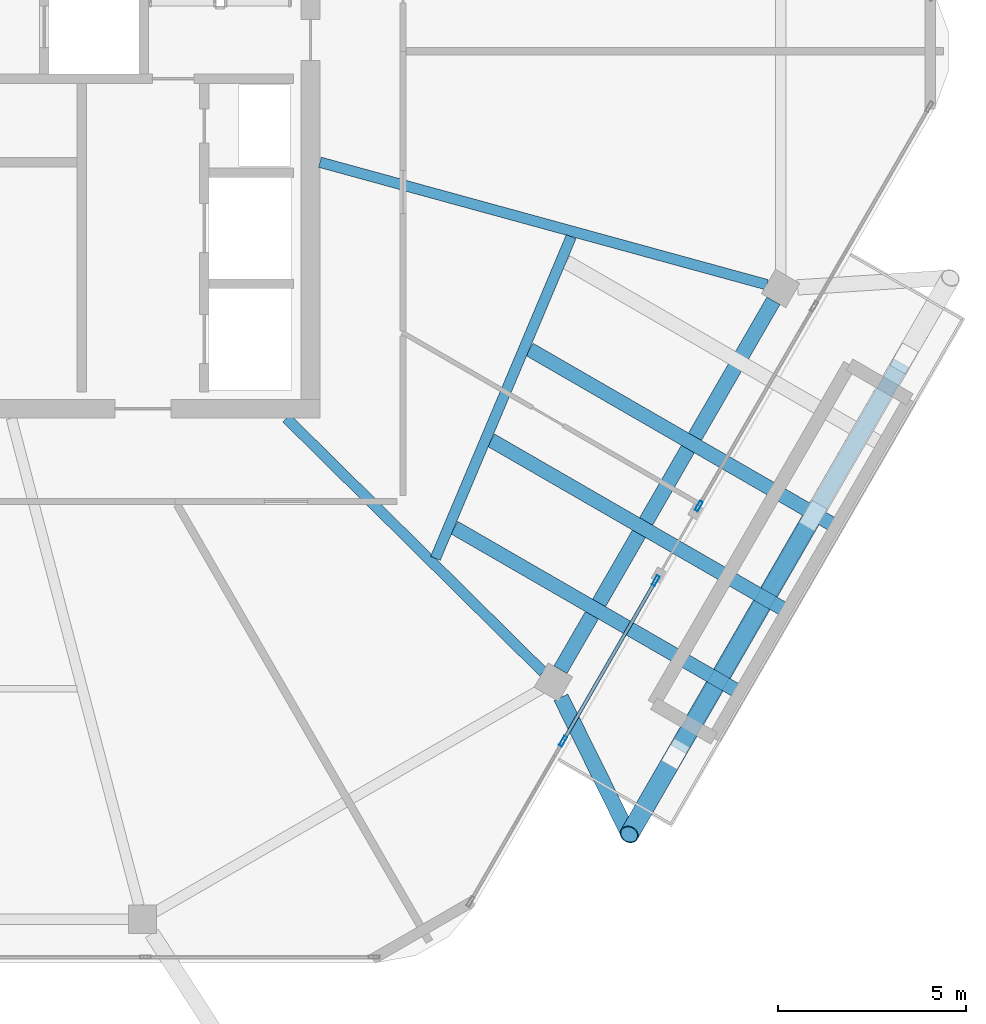
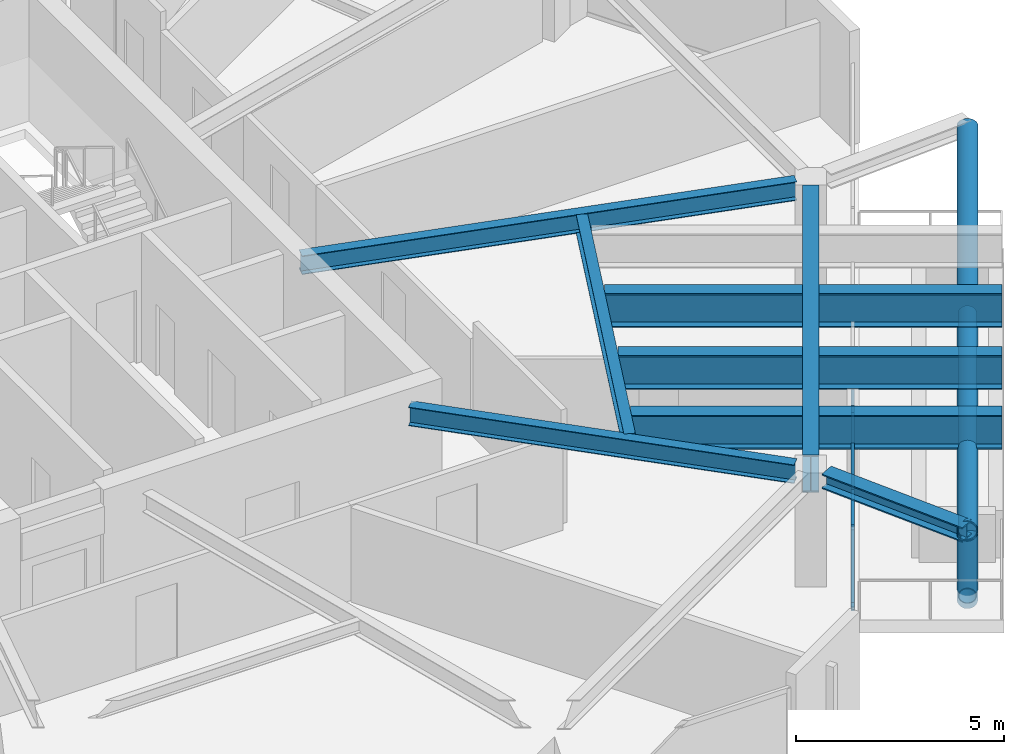
# One storey, part 8 of 23: 9 members, 8 beams, 2 elements without a shape of their own.
"""IFC4 building model written with IfcOpenShell, lengths in metres."""

import ifcopenshell
import ifcopenshell.guid

model = None  # the IFC model being written
_history = None  # IfcOwnerHistory: only IFC2X3 demands one
_inside = {}  # id of a spatial element -> (the spatial element, [elements in it])
_under = {}  # id of a project, library or spatial element -> (it, [spatial elements below it])
_declared = {}  # id of a project -> (the project, [libraries it declares])
_typed = {}  # id of a type object -> (the type object, [elements of that type])
_made_of = {}  # id of a material, layer set ... -> (it, [elements and type objects made of it])


def new_model(schema):
    """Start an empty IFC model of exactly this schema.

    Asked for "IFC4X3", IfcOpenShell would pick the latest addendum, in which some entities
    have other attributes; the version numbers below select the first issue.
    IFC2X3 requires an IfcOwnerHistory on every rooted entity: one is made here for all.
    """
    global model, _history
    if schema == "IFC4X3":
        model = ifcopenshell.file(schema_version=(4, 3, 0, 0))
    else:
        model = ifcopenshell.file(schema=schema)
    _inside.clear()
    _under.clear()
    _declared.clear()
    _typed.clear()
    _made_of.clear()
    _history = None
    if model.schema == "IFC2X3":
        org = make("IfcOrganization", Name="unknown")
        user = make(
            "IfcPersonAndOrganization",
            ThePerson=make("IfcPerson", FamilyName="unknown"),
            TheOrganization=org,
        )
        app = make(
            "IfcApplication",
            ApplicationDeveloper=org,
            Version="unknown",
            ApplicationFullName="unknown",
            ApplicationIdentifier="unknown",
        )
        _history = make(
            "IfcOwnerHistory",
            OwningUser=user,
            OwningApplication=app,
            ChangeAction="ADDED",
            CreationDate=0,
        )
    return model


def make(cls, **values):
    """One entity of the class cls with the attributes given. An attribute that is None is left unset."""
    return model.create_entity(
        cls, **{name: value for name, value in values.items() if value is not None}
    )


def rooted(cls, **values):
    """An entity with a GlobalId (a new one), such as an element, a storey or a relation."""
    return make(cls, GlobalId=ifcopenshell.guid.new(), OwnerHistory=_history, **values)


def si_unit(unit_type, name, prefix=None):
    """IfcSIUnit, for example si_unit("LENGTHUNIT", "METRE", prefix="MILLI")."""
    return make("IfcSIUnit", UnitType=unit_type, Prefix=prefix, Name=name)


def assignment(units):
    """IfcUnitAssignment: the units of a project."""
    return None if units is None else make("IfcUnitAssignment", Units=units)


def point(xyz):
    """IfcCartesianPoint."""
    return None if xyz is None else make("IfcCartesianPoint", Coordinates=xyz)


def direction(xyz):
    """IfcDirection."""
    return None if xyz is None else make("IfcDirection", DirectionRatios=xyz)


def frame(location, z_axis=None, x_axis=None):
    """IfcAxis2Placement3D, a coordinate frame: its origin and axes. An axis left out is left unset."""
    return make(
        "IfcAxis2Placement3D",
        Location=point(location),
        Axis=direction(z_axis),
        RefDirection=direction(x_axis),
    )


def frame_2d(location, x_axis=None):
    """IfcAxis2Placement2D, a coordinate frame in the plane: its origin and x axis."""
    return make(
        "IfcAxis2Placement2D", Location=point(location), RefDirection=direction(x_axis)
    )


def origin():
    """The frame at (0, 0, 0) with its axes left unset."""
    return frame((0.0, 0.0, 0.0))


def origin_2d():
    """The frame at (0, 0) in the plane with its x axis left unset."""
    return frame_2d((0.0, 0.0))


def place(relative_to, where):
    """IfcLocalPlacement: puts the frame where relative to a parent placement (None: the world)."""
    return make(
        "IfcLocalPlacement", PlacementRelTo=relative_to, RelativePlacement=where
    )


def context(
    kind, dimensions, precision=None, world=None, true_north=None, identifier=None
):
    """IfcGeometricRepresentationContext, for example the 3D "Model" context."""
    return make(
        "IfcGeometricRepresentationContext",
        ContextIdentifier=identifier,
        ContextType=kind,
        CoordinateSpaceDimension=dimensions,
        Precision=precision,
        WorldCoordinateSystem=world,
        TrueNorth=true_north,
    )


def subcontext(parent, identifier, kind, view, scale=None):
    """IfcGeometricRepresentationSubContext, for example "Body" below "Model"."""
    return make(
        "IfcGeometricRepresentationSubContext",
        ContextIdentifier=identifier,
        ContextType=kind,
        ParentContext=parent,
        TargetScale=scale,
        TargetView=view,
    )


def project(units=None, contexts=None):
    """IfcProject with its units and contexts."""
    return rooted(
        "IfcProject",
        Name="project",
        RepresentationContexts=contexts,
        UnitsInContext=assignment(units),
    )


def spatial(cls, under=None, at=None, **own):
    """A site, building, storey or space (cls), placed at a placement, below another one or the project."""
    s = rooted(cls, ObjectPlacement=at, **own)
    if under is not None:
        _under.setdefault(under.id(), (under, []))[1].append(s)
    return s


def profile(cls, at=None, kind="AREA", **sizes):
    """A parametric profile (cls). Its sizes go by their IFC names, for example OverallWidth=200.0."""
    return make(cls, ProfileType=kind, Position=at, **sizes)


def hollow_rectangle(**sizes):
    """IfcRectangleHollowProfileDef."""
    return profile("IfcRectangleHollowProfileDef", **sizes)


def hollow_circle(**sizes):
    """IfcCircleHollowProfileDef."""
    return profile("IfcCircleHollowProfileDef", **sizes)


def i_section(**sizes):
    """IfcIShapeProfileDef."""
    return profile("IfcIShapeProfileDef", **sizes)


def extrude(swept, where, along, depth):
    """IfcExtrudedAreaSolid: the profile swept, set in the frame where, extruded along a direction by depth."""
    return make(
        "IfcExtrudedAreaSolid",
        SweptArea=swept,
        Position=where,
        ExtrudedDirection=direction(along),
        Depth=depth,
    )


def shape(context_of_items, identifier, shape_type, items):
    """IfcShapeRepresentation: the items that make up one representation, for example the "Body"."""
    return make(
        "IfcShapeRepresentation",
        ContextOfItems=context_of_items,
        RepresentationIdentifier=identifier,
        RepresentationType=shape_type,
        Items=items,
    )


def material(Name=None, Category=None):
    """IfcMaterial."""
    return make("IfcMaterial", Name=Name, Category=Category)


def material_profile(
    of_material, cross_section, Name=None, Category=None, Priority=None
):
    """IfcMaterialProfile: a cross section and its material."""
    return make(
        "IfcMaterialProfile",
        Name=Name,
        Material=of_material,
        Profile=cross_section,
        Priority=Priority,
        Category=Category,
    )


def profile_set(profiles, Name=None, composite=None):
    """IfcMaterialProfileSet."""
    return make(
        "IfcMaterialProfileSet",
        Name=Name,
        MaterialProfiles=profiles,
        CompositeProfile=composite,
    )


def made_of(thing, what):
    """Note that an element or type object is made of a material, layer set ...; save() writes the relation."""
    if what is not None:
        _made_of.setdefault(what.id(), (what, []))[1].append(thing)
    return thing


def type_object(cls, material=None, **own):
    """A type object (cls), such as IfcWallType, which elements share."""
    return made_of(rooted(cls, **own), material)


def element(
    cls,
    number,
    at=None,
    inside=None,
    cuts=None,
    type_object=None,
    material=None,
    context=None,
    identifier="Body",
    shape_type=None,
    held_by="IfcProductDefinitionShape",
    body=None,
    shapes=None,
    **own,
):
    """One element of the class cls, such as IfcWall. Its Tag is "e" and its number.

    at: its placement. inside: the storey or other place that contains it. cuts: it is an
    opening in that element (IfcRelVoidsElement). A single representation is given by context,
    identifier, shape_type and body (its items); several are given by shapes. held_by: the class
    of the entity that holds the representations. save() writes the other relations.
    """
    e = rooted(cls, Tag="e%d" % number, ObjectPlacement=at, **own)
    if body is not None:
        shapes = [shape(context, identifier, shape_type, body)]
    if shapes is not None:
        e.Representation = make(held_by, Representations=shapes)
    if inside is not None:
        _inside.setdefault(inside.id(), (inside, []))[1].append(e)
    if cuts is not None:
        rooted(
            "IfcRelVoidsElement", RelatingBuildingElement=cuts, RelatedOpeningElement=e
        )
    if type_object is not None:
        _typed.setdefault(type_object.id(), (type_object, []))[1].append(e)
    return made_of(e, material)


def aggregate(whole, parts):
    """IfcRelAggregates: a whole, such as a stair, and the parts it consists of."""
    return rooted("IfcRelAggregates", RelatingObject=whole, RelatedObjects=parts)


def save(model, path):
    """Write the relations noted so far, then the file.

    IfcRelAggregates (storeys below a building ...), IfcRelContainedInSpatialStructure (elements
    in a storey), IfcRelDefinesByType, IfcRelAssociatesMaterial and IfcRelDeclares: one each for
    every whole, place, type object, material and project.
    """
    for whole, parts in _under.values():
        aggregate(whole, parts)
    for where, things in _inside.values():
        rooted(
            "IfcRelContainedInSpatialStructure",
            RelatedElements=things,
            RelatingStructure=where,
        )
    for kind, things in _typed.values():
        rooted("IfcRelDefinesByType", RelatedObjects=things, RelatingType=kind)
    for what, things in _made_of.values():
        rooted("IfcRelAssociatesMaterial", RelatedObjects=things, RelatingMaterial=what)
    for by, libraries in _declared.values():
        rooted("IfcRelDeclares", RelatingContext=by, RelatedDefinitions=libraries)
    model.write(path)


model = new_model("IFC4")

# Units and contexts
model_context = context("Model", 3, precision=1e-05, world=origin(), true_north=direction((0.0, 1.0)))
body_context = subcontext(model_context, "Body", "Model", "MODEL_VIEW")
ifc_project = project(units=[si_unit("LENGTHUNIT", "METRE"), si_unit("AREAUNIT", "SQUARE_METRE"), si_unit("VOLUMEUNIT", "CUBIC_METRE"), si_unit("PLANEANGLEUNIT", "RADIAN"), si_unit("MASSUNIT", "GRAM", prefix="KILO")], contexts=[model_context])

# Site, building, storey
site_placement = place(None, origin())
site = spatial("IfcSite", under=ifc_project, at=site_placement, CompositionType="ELEMENT")
building_placement = place(site_placement, origin())
building = spatial("IfcBuilding", under=site, at=building_placement, Name="Zuhravey Tower", CompositionType="ELEMENT")
storey_placement = place(building_placement, frame((0.0, 0.0, 353.800048828125)))
storey = spatial("IfcBuildingStorey", under=building, at=storey_placement, Name="L90", CompositionType="ELEMENT", Elevation=353.800048828125)

# Curtain wall, member
ifc_material_1 = material(Name="Thermally broken anodised aluminium", Category="aluminium")
curtain_wall_type = type_object("IfcCurtainWallType", Name="Zone 3-4 High-Rise Curtain Wall CW4", PredefinedType="NOTDEFINED", material=ifc_material_1)
curtain_wall_1_placement = place(storey_placement, origin())
curtain_wall_1 = element("IfcCurtainWall", 1, at=curtain_wall_1_placement, inside=storey, type_object=curtain_wall_type, Name="L90 CW4 CW-L90-F6-1", PredefinedType="NOTDEFINED")
ifc_material_2 = material(Name="Anodised aluminium", Category="aluminium")
ifc_material_profile_1 = material_profile(ifc_material_2, hollow_rectangle(XDim=0.090087890625, YDim=0.284912109375, WallThickness=0.0048828125, at=origin_2d()), Name="ALU-RHS-90x285x5")
ifc_profile_set_1 = profile_set([ifc_material_profile_1], Name="Anodised aluminium")
member_type_1 = type_object("IfcMemberType", Name="Curtain-Wall Mullion 90x180", PredefinedType="MULLION", material=ifc_profile_set_1)
member_1_placement = place(storey_placement, frame((56.8212890625, 19.915283203125, 0.0), z_axis=(0.0, 0.0, 1.0), x_axis=(0.866026200788, -0.499998619547, 0.0)))
member_1 = element("IfcMember", 2, at=member_1_placement, type_object=member_type_1, Name="CW4 mullion 3", PredefinedType="MULLION", context=body_context, shape_type="SweptSolid", body=[
    extrude(hollow_rectangle(XDim=0.090087890625, YDim=0.284912109375, WallThickness=0.0048828125, at=origin_2d()), origin(), (0.0, 0.0, 1.0), 2.3798828125),
])
aggregate(curtain_wall_1, [member_1])

# Curtain wall, members
curtain_wall_2_placement = place(storey_placement, origin())
curtain_wall_2 = element("IfcCurtainWall", 3, at=curtain_wall_2_placement, inside=storey, type_object=curtain_wall_type, Name="L90 CW4 CW-L90-F6-2", PredefinedType="NOTDEFINED")
member_2_placement = place(storey_placement, frame((55.67626953125, 17.93212890625, 0.0), z_axis=(0.0, 0.0, 1.0), x_axis=(0.866023570197, -0.500003175854, 0.0)))
member_2 = element("IfcMember", 4, at=member_2_placement, type_object=member_type_1, Name="CW4 mullion 1", PredefinedType="MULLION", context=body_context, shape_type="SweptSolid", body=[
    extrude(hollow_rectangle(XDim=0.090087890625, YDim=0.284912109375, WallThickness=0.0048828125, at=origin_2d()), origin(), (0.0, 0.0, 1.0), 2.3798828125),
])
member_3_placement = place(storey_placement, frame((53.2138671875, 13.667236328125, 0.0), z_axis=(0.0, 0.0, 1.0), x_axis=(0.866023570197, -0.500003175854, 0.0)))
member_3 = element("IfcMember", 5, at=member_3_placement, type_object=member_type_1, Name="CW4 mullion 2", PredefinedType="MULLION", context=body_context, shape_type="SweptSolid", body=[
    extrude(hollow_rectangle(XDim=0.090087890625, YDim=0.284912109375, WallThickness=0.0048828125, at=origin_2d()), origin(), (0.0, 0.0, 1.0), 2.3798828125),
])
ifc_material_profile_2 = material_profile(ifc_material_2, hollow_rectangle(XDim=0.090087890625, YDim=0.14990234375, WallThickness=0.0048828125, at=origin_2d()), Name="ALU-RHS-90x150x5")
ifc_profile_set_2 = profile_set([ifc_material_profile_2], Name="Anodised aluminium")
member_type_2 = type_object("IfcMemberType", Name="Curtain-Wall Transom 90x150", PredefinedType="USERDEFINED", material=ifc_profile_set_2)
member_4_placement = place(storey_placement, frame((55.65380859375, 17.89306640625, 0.044921875), z_axis=(-0.500038639897, -0.86600309388, 0.0), x_axis=(0.86600309388, -0.500038639897, 0.0)))
member_4 = element("IfcMember", 6, at=member_4_placement, type_object=member_type_2, Name="CW4 transom 1.1", ObjectType="TRANSOM", PredefinedType="USERDEFINED", context=body_context, shape_type="SweptSolid", body=[
    extrude(hollow_rectangle(XDim=0.090087890625, YDim=0.14990234375, WallThickness=0.0048828125, at=origin_2d()), origin(), (0.0, 0.0, 1.0), 4.83447265625),
])
member_5_placement = place(storey_placement, frame((55.65380859375, 17.89306640625, 2.3349609375), z_axis=(-0.500038639897, -0.86600309388, 0.0), x_axis=(0.86600309388, -0.500038639897, 0.0)))
member_5 = element("IfcMember", 7, at=member_5_placement, type_object=member_type_2, Name="CW4 transom 1.2", ObjectType="TRANSOM", PredefinedType="USERDEFINED", context=body_context, shape_type="SweptSolid", body=[
    extrude(hollow_rectangle(XDim=0.090087890625, YDim=0.14990234375, WallThickness=0.0048828125, at=origin_2d()), origin(), (0.0, 0.0, 1.0), 4.83447265625),
])
aggregate(curtain_wall_2, [member_2, member_3, member_4, member_5])

# Beam
ifc_material_3 = material(Name="Steel SM460", Category="steel")
ifc_material_profile_3 = material_profile(ifc_material_3, i_section(OverallWidth=0.406982421875, OverallDepth=0.427978515625, WebThickness=0.02001953125, FlangeThickness=0.034912109375, at=origin_2d()), Name="H-428x407x20x35")
ifc_profile_set_3 = profile_set([ifc_material_profile_3], Name="Steel SM460")
beam_type_1 = type_object("IfcBeamType", Name="Exoskeleton Node Tie Beam H428x407", PredefinedType="BEAM", material=ifc_profile_set_3)
beam_1_placement = place(storey_placement, frame((53.15625, 14.830810546875, 3.135986328125), z_axis=(0.443674177623, -0.89618816334, 0.0), x_axis=(0.89618816334, 0.443674177623, 0.0)))
element("IfcBeam", 8, at=beam_1_placement, inside=storey, type_object=beam_type_1, Name="L90 Exoskeleton Node Tie NT1-11", PredefinedType="BEAM", context=body_context, shape_type="SweptSolid", body=[
    extrude(i_section(OverallWidth=0.406982421875, OverallDepth=0.427978515625, WebThickness=0.02001953125, FlangeThickness=0.034912109375, at=origin_2d()), origin(), (0.0, 0.0, 1.0), 4.059814453125),
])

# Members
ifc_material_4 = material(Name="Steel SM355", Category="steel")
ifc_material_profile_4 = material_profile(ifc_material_4, hollow_circle(Radius=0.228515625, WallThickness=0.02197265625, at=origin_2d()), Name="CHS-457.2x22")
ifc_profile_set_4 = profile_set([ifc_material_profile_4], Name="Steel SM355")
member_type_3 = type_object("IfcMemberType", Name="Exoskeleton Ring Tie CHS457x22", PredefinedType="CHORD", material=ifc_profile_set_4)
member_6_placement = place(storey_placement, frame((56.275390625, 13.44970703125, -0.59912109375), z_axis=(0.499988670204, 0.866031944946, 0.0), x_axis=(-0.866031944946, 0.499988670204, 0.0)))
element("IfcMember", 9, at=member_6_placement, inside=storey, type_object=member_type_3, Name="L90 Exoskeleton Face 6 Tie EXR1", PredefinedType="CHORD", context=body_context, shape_type="SweptSolid", body=[
    extrude(hollow_circle(Radius=0.228515625, WallThickness=0.02197265625, at=origin_2d()), origin(), (0.0, 0.0, 1.0), 11.854736328125),
])
ifc_material_profile_5 = material_profile(ifc_material_4, hollow_circle(Radius=0.25390625, WallThickness=0.02490234375, at=origin_2d()), Name="CHS-508.0x25")
ifc_profile_set_5 = profile_set([ifc_material_profile_5], Name="Steel SM355")
member_type_4 = type_object("IfcMemberType", Name="Exoskeleton Zone 4 Diagrid CHS508x25", PredefinedType="BRACE", material=ifc_profile_set_5)
member_7_placement = place(storey_placement, frame((56.199951171875, 13.319091796875, -0.5830078125), z_axis=(-0.276758139819, -0.479329722715, 0.832855298936), x_axis=(0.866012107475, -0.500023029176, 0.0)))
element("IfcMember", 10, at=member_7_placement, inside=storey, type_object=member_type_4, Name="L90 Face 6 Diagrid Brace 1", PredefinedType="BRACE", context=body_context, shape_type="SweptSolid", body=[
    extrude(hollow_circle(Radius=0.25390625, WallThickness=0.02490234375, at=origin_2d()), origin(), (0.0, 0.0, 1.0), 4.446044921875),
])
member_8_placement = place(storey_placement, frame((56.231201171875, 13.373046875, -0.5859375), z_axis=(0.48442456365, 0.839068391831, 0.247582462955), x_axis=(-0.866030676689, 0.499990866951, 0.0)))
element("IfcMember", 11, at=member_8_placement, inside=storey, type_object=member_type_4, Name="L90 Face 6 Diagrid Brace 2", PredefinedType="BRACE", context=body_context, shape_type="SweptSolid", body=[
    extrude(hollow_circle(Radius=0.25390625, WallThickness=0.02490234375, at=origin_2d()), origin(), (0.0, 0.0, 1.0), 14.979736328125),
])
member_9_placement = place(storey_placement, frame((59.73974609375, 19.4501953125, 1.314208984375), z_axis=(-0.491151454334, -0.850684519143, 0.187366213058), x_axis=(0.866021648766, -0.500006503827, 0.0)))
element("IfcMember", 12, at=member_9_placement, inside=storey, type_object=member_type_4, Name="L90 Face 6 Split Diagrid Brace 3B", PredefinedType="BRACE", context=body_context, shape_type="SweptSolid", body=[
    extrude(hollow_circle(Radius=0.25390625, WallThickness=0.02490234375, at=origin_2d()), origin(), (0.0, 0.0, 1.0), 9.669677734375),
])

# Beams
ifc_material_profile_6 = material_profile(ifc_material_4, i_section(OverallWidth=0.280029296875, OverallDepth=0.550048828125, WebThickness=0.010986328125, FlangeThickness=0.01806640625, at=origin_2d()), Name="H-550x280x11x18")
ifc_profile_set_6 = profile_set([ifc_material_profile_6], Name="Steel SM355")
beam_type_2 = type_object("IfcBeamType", Name="Radial Primary Girder H550x280", PredefinedType="BEAM", material=ifc_profile_set_6)
beam_2_placement = place(storey_placement, frame((45.865234375, 22.2470703125, 3.074951171875), z_axis=(0.711142578304, -0.703047817238, 0.0), x_axis=(0.703047817238, 0.711142578304, 0.0)))
element("IfcBeam", 13, at=beam_2_placement, inside=storey, type_object=beam_type_2, Name="L90 RG4 BM-L90-RAD-11", PredefinedType="BEAM", context=body_context, shape_type="SweptSolid", body=[
    extrude(i_section(OverallWidth=0.280029296875, OverallDepth=0.550048828125, WebThickness=0.010986328125, FlangeThickness=0.01806640625, at=origin_2d()), origin(), (0.0, 0.0, 1.0), 9.591064453125),
])
beam_3_placement = place(storey_placement, frame((46.7529296875, 29.052734375, 3.074951171875), z_axis=(0.964428588077, -0.264343523658, 0.0), x_axis=(0.264343523658, 0.964428588077, 0.0)))
element("IfcBeam", 14, at=beam_3_placement, inside=storey, type_object=beam_type_2, Name="L90 RG4 BM-L90-RAD-12", PredefinedType="BEAM", context=body_context, shape_type="SweptSolid", body=[
    extrude(i_section(OverallWidth=0.280029296875, OverallDepth=0.550048828125, WebThickness=0.010986328125, FlangeThickness=0.01806640625, at=origin_2d()), origin(), (0.0, 0.0, 1.0), 12.31396484375),
])
beam_4_placement = place(storey_placement, frame((49.82080078125, 18.52587890625, 3.074951171875), z_axis=(0.388863846014, 0.921295234582, 0.0), x_axis=(-0.921295234582, 0.388863846014, 0.0)))
element("IfcBeam", 15, at=beam_4_placement, inside=storey, type_object=beam_type_2, Name="L90 Sky-Pool Backspan Header RG4", PredefinedType="BEAM", context=body_context, shape_type="SweptSolid", body=[
    extrude(i_section(OverallWidth=0.280029296875, OverallDepth=0.550048828125, WebThickness=0.010986328125, FlangeThickness=0.01806640625, at=origin_2d()), origin(), (0.0, 0.0, 1.0), 9.278076171875),
])
ifc_material_profile_7 = material_profile(ifc_material_3, i_section(OverallWidth=0.39990234375, OverallDepth=1.10009765625, WebThickness=0.02197265625, FlangeThickness=0.0380859375, at=origin_2d()), Name="H-1100x400x22x38")
ifc_profile_set_7 = profile_set([ifc_material_profile_7], Name="Steel SM460")
beam_type_3 = type_object("IfcBeamType", Name="Setback Transfer Girder H1100x400", PredefinedType="BEAM", material=ifc_profile_set_7)
beam_5_placement = place(storey_placement, frame((53.143798828125, 15.565673828125, 2.800048828125), z_axis=(0.499993743963, 0.866029015679, 0.0), x_axis=(-0.866029015679, 0.499993743963, 0.0)))
element("IfcBeam", 16, at=beam_5_placement, inside=storey, type_object=beam_type_3, Name="L90 TG2 BM-L90-PB-11", PredefinedType="BEAM", context=body_context, shape_type="SweptSolid", body=[
    extrude(i_section(OverallWidth=0.39990234375, OverallDepth=1.10009765625, WebThickness=0.02197265625, FlangeThickness=0.0380859375, at=origin_2d()), origin(), (0.0, 0.0, 1.0), 11.321533203125),
])
ifc_material_profile_8 = material_profile(ifc_material_3, i_section(OverallWidth=0.3798828125, OverallDepth=1.0, WebThickness=0.02001953125, FlangeThickness=0.035888671875, at=origin_2d()), Name="H-1000x380x20x36")
ifc_profile_set_8 = profile_set([ifc_material_profile_8], Name="Steel SM460")
beam_type_4 = type_object("IfcBeamType", Name="Sky-Pool Saddle Girder H1000x380", PredefinedType="BEAM", material=ifc_profile_set_8)
beam_6_placement = place(storey_placement, frame((50.322021484375, 19.34326171875, 2.849853515625), z_axis=(0.866036299256, -0.499981128015, 0.0), x_axis=(0.499981128015, 0.866036299256, 0.0)))
element("IfcBeam", 17, at=beam_6_placement, inside=storey, type_object=beam_type_4, Name="L90 Sky-Pool Saddle Girder SPG1-01", PredefinedType="BEAM", context=body_context, shape_type="SweptSolid", body=[
    extrude(i_section(OverallWidth=0.3798828125, OverallDepth=1.0, WebThickness=0.02001953125, FlangeThickness=0.035888671875, at=origin_2d()), origin(), (0.0, 0.0, 1.0), 8.932373046875),
])
beam_7_placement = place(storey_placement, frame((51.3017578125, 21.664306640625, 2.849853515625), z_axis=(0.866025945564, -0.499999061609, 0.0), x_axis=(0.499999061609, 0.866025945564, 0.0)))
element("IfcBeam", 18, at=beam_7_placement, inside=storey, type_object=beam_type_4, Name="L90 Sky-Pool Saddle Girder SPG1-02", PredefinedType="BEAM", context=body_context, shape_type="SweptSolid", body=[
    extrude(i_section(OverallWidth=0.3798828125, OverallDepth=1.0, WebThickness=0.02001953125, FlangeThickness=0.035888671875, at=origin_2d()), origin(), (0.0, 0.0, 1.0), 9.24462890625),
])
beam_8_placement = place(storey_placement, frame((52.32080078125, 24.078369140625, 2.849853515625), z_axis=(0.86602073657, -0.500008083765, 0.0), x_axis=(0.500008083765, 0.86602073657, 0.0)))
element("IfcBeam", 19, at=beam_8_placement, inside=storey, type_object=beam_type_4, Name="L90 Sky-Pool Saddle Girder SPG1-03", PredefinedType="BEAM", context=body_context, shape_type="SweptSolid", body=[
    extrude(i_section(OverallWidth=0.3798828125, OverallDepth=1.0, WebThickness=0.02001953125, FlangeThickness=0.035888671875, at=origin_2d()), origin(), (0.0, 0.0, 1.0), 9.569091796875),
])

save(model, "model.ifc")
